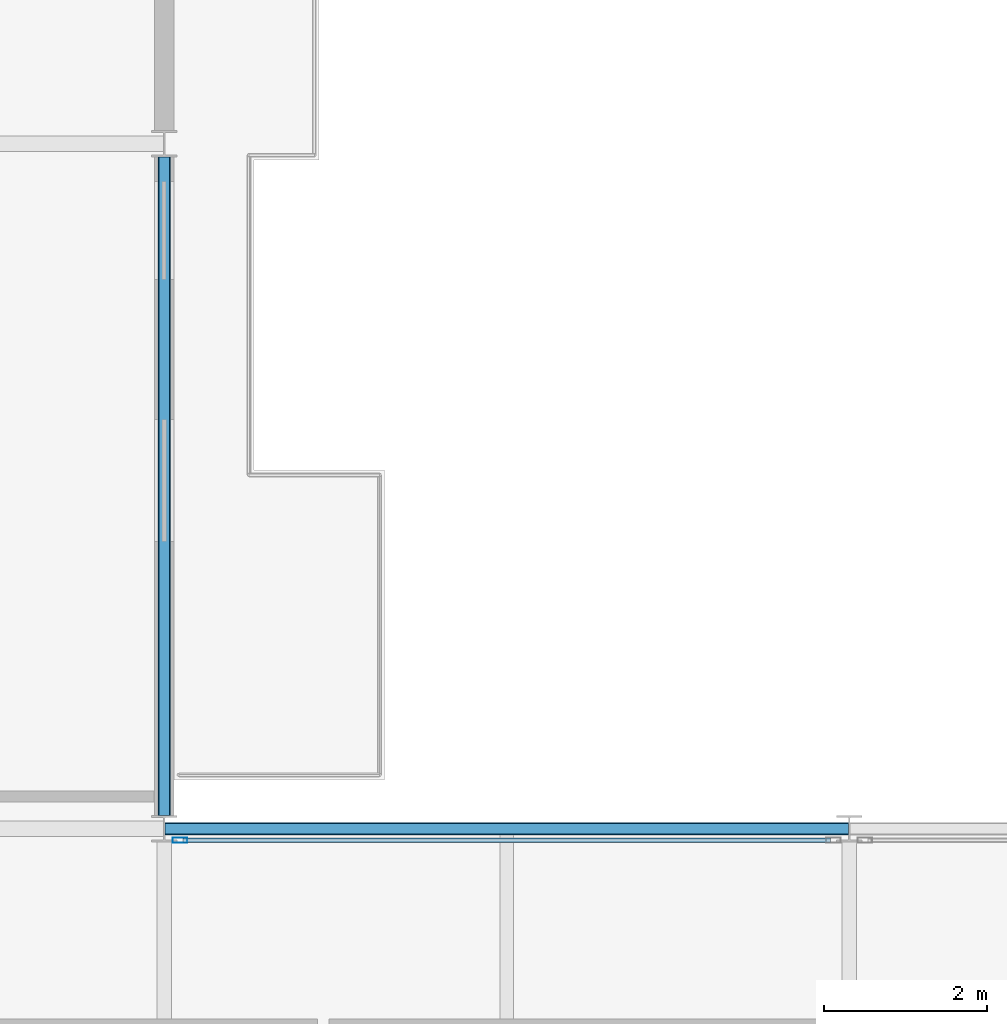
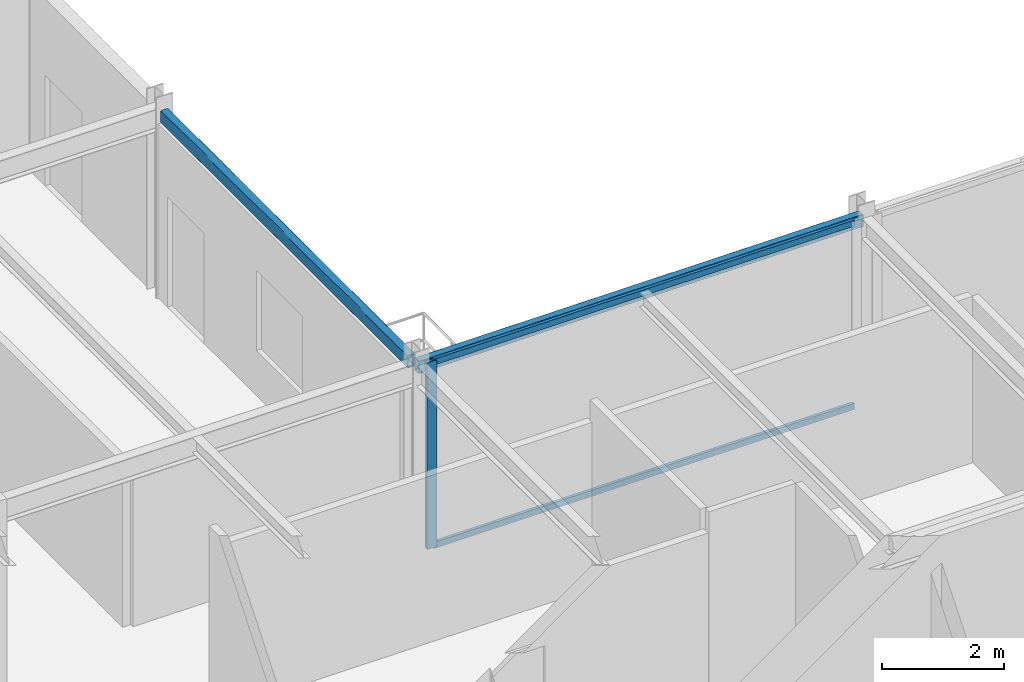
# One storey, part 13 of 26: 3 members, 2 beams, 1 element without a shape of its own.
"""IFC4 building model written with IfcOpenShell, lengths in metres."""

import ifcopenshell
import ifcopenshell.guid

model = None  # the IFC model being written
_history = None  # IfcOwnerHistory: only IFC2X3 demands one
_inside = {}  # id of a spatial element -> (the spatial element, [elements in it])
_under = {}  # id of a project, library or spatial element -> (it, [spatial elements below it])
_declared = {}  # id of a project -> (the project, [libraries it declares])
_typed = {}  # id of a type object -> (the type object, [elements of that type])
_made_of = {}  # id of a material, layer set ... -> (it, [elements and type objects made of it])


def new_model(schema):
    """Start an empty IFC model of exactly this schema.

    Asked for "IFC4X3", IfcOpenShell would pick the latest addendum, in which some entities
    have other attributes; the version numbers below select the first issue.
    IFC2X3 requires an IfcOwnerHistory on every rooted entity: one is made here for all.
    """
    global model, _history
    if schema == "IFC4X3":
        model = ifcopenshell.file(schema_version=(4, 3, 0, 0))
    else:
        model = ifcopenshell.file(schema=schema)
    _inside.clear()
    _under.clear()
    _declared.clear()
    _typed.clear()
    _made_of.clear()
    _history = None
    if model.schema == "IFC2X3":
        org = make("IfcOrganization", Name="unknown")
        user = make(
            "IfcPersonAndOrganization",
            ThePerson=make("IfcPerson", FamilyName="unknown"),
            TheOrganization=org,
        )
        app = make(
            "IfcApplication",
            ApplicationDeveloper=org,
            Version="unknown",
            ApplicationFullName="unknown",
            ApplicationIdentifier="unknown",
        )
        _history = make(
            "IfcOwnerHistory",
            OwningUser=user,
            OwningApplication=app,
            ChangeAction="ADDED",
            CreationDate=0,
        )
    return model


def make(cls, **values):
    """One entity of the class cls with the attributes given. An attribute that is None is left unset."""
    return model.create_entity(
        cls, **{name: value for name, value in values.items() if value is not None}
    )


def rooted(cls, **values):
    """An entity with a GlobalId (a new one), such as an element, a storey or a relation."""
    return make(cls, GlobalId=ifcopenshell.guid.new(), OwnerHistory=_history, **values)


def si_unit(unit_type, name, prefix=None):
    """IfcSIUnit, for example si_unit("LENGTHUNIT", "METRE", prefix="MILLI")."""
    return make("IfcSIUnit", UnitType=unit_type, Prefix=prefix, Name=name)


def assignment(units):
    """IfcUnitAssignment: the units of a project."""
    return None if units is None else make("IfcUnitAssignment", Units=units)


def point(xyz):
    """IfcCartesianPoint."""
    return None if xyz is None else make("IfcCartesianPoint", Coordinates=xyz)


def direction(xyz):
    """IfcDirection."""
    return None if xyz is None else make("IfcDirection", DirectionRatios=xyz)


def frame(location, z_axis=None, x_axis=None):
    """IfcAxis2Placement3D, a coordinate frame: its origin and axes. An axis left out is left unset."""
    return make(
        "IfcAxis2Placement3D",
        Location=point(location),
        Axis=direction(z_axis),
        RefDirection=direction(x_axis),
    )


def frame_2d(location, x_axis=None):
    """IfcAxis2Placement2D, a coordinate frame in the plane: its origin and x axis."""
    return make(
        "IfcAxis2Placement2D", Location=point(location), RefDirection=direction(x_axis)
    )


def origin():
    """The frame at (0, 0, 0) with its axes left unset."""
    return frame((0.0, 0.0, 0.0))


def origin_2d():
    """The frame at (0, 0) in the plane with its x axis left unset."""
    return frame_2d((0.0, 0.0))


def place(relative_to, where):
    """IfcLocalPlacement: puts the frame where relative to a parent placement (None: the world)."""
    return make(
        "IfcLocalPlacement", PlacementRelTo=relative_to, RelativePlacement=where
    )


def context(
    kind, dimensions, precision=None, world=None, true_north=None, identifier=None
):
    """IfcGeometricRepresentationContext, for example the 3D "Model" context."""
    return make(
        "IfcGeometricRepresentationContext",
        ContextIdentifier=identifier,
        ContextType=kind,
        CoordinateSpaceDimension=dimensions,
        Precision=precision,
        WorldCoordinateSystem=world,
        TrueNorth=true_north,
    )


def subcontext(parent, identifier, kind, view, scale=None):
    """IfcGeometricRepresentationSubContext, for example "Body" below "Model"."""
    return make(
        "IfcGeometricRepresentationSubContext",
        ContextIdentifier=identifier,
        ContextType=kind,
        ParentContext=parent,
        TargetScale=scale,
        TargetView=view,
    )


def project(units=None, contexts=None):
    """IfcProject with its units and contexts."""
    return rooted(
        "IfcProject",
        Name="project",
        RepresentationContexts=contexts,
        UnitsInContext=assignment(units),
    )


def spatial(cls, under=None, at=None, **own):
    """A site, building, storey or space (cls), placed at a placement, below another one or the project."""
    s = rooted(cls, ObjectPlacement=at, **own)
    if under is not None:
        _under.setdefault(under.id(), (under, []))[1].append(s)
    return s


def profile(cls, at=None, kind="AREA", **sizes):
    """A parametric profile (cls). Its sizes go by their IFC names, for example OverallWidth=200.0."""
    return make(cls, ProfileType=kind, Position=at, **sizes)


def hollow_rectangle(**sizes):
    """IfcRectangleHollowProfileDef."""
    return profile("IfcRectangleHollowProfileDef", **sizes)


def extrude(swept, where, along, depth):
    """IfcExtrudedAreaSolid: the profile swept, set in the frame where, extruded along a direction by depth."""
    return make(
        "IfcExtrudedAreaSolid",
        SweptArea=swept,
        Position=where,
        ExtrudedDirection=direction(along),
        Depth=depth,
    )


def shape(context_of_items, identifier, shape_type, items):
    """IfcShapeRepresentation: the items that make up one representation, for example the "Body"."""
    return make(
        "IfcShapeRepresentation",
        ContextOfItems=context_of_items,
        RepresentationIdentifier=identifier,
        RepresentationType=shape_type,
        Items=items,
    )


def material(Name=None, Category=None):
    """IfcMaterial."""
    return make("IfcMaterial", Name=Name, Category=Category)


def layer(
    of_material, thickness, ventilated=None, Name=None, Category=None, Priority=None
):
    """IfcMaterialLayer: one layer of a wall or slab, of a material (None: an air gap)."""
    return make(
        "IfcMaterialLayer",
        Material=of_material,
        LayerThickness=thickness,
        IsVentilated=ventilated,
        Name=Name,
        Category=Category,
        Priority=Priority,
    )


def layer_set(layers, Name=None):
    """IfcMaterialLayerSet."""
    return make("IfcMaterialLayerSet", MaterialLayers=layers, LayerSetName=Name)


def material_profile(
    of_material, cross_section, Name=None, Category=None, Priority=None
):
    """IfcMaterialProfile: a cross section and its material."""
    return make(
        "IfcMaterialProfile",
        Name=Name,
        Material=of_material,
        Profile=cross_section,
        Priority=Priority,
        Category=Category,
    )


def profile_set(profiles, Name=None, composite=None):
    """IfcMaterialProfileSet."""
    return make(
        "IfcMaterialProfileSet",
        Name=Name,
        MaterialProfiles=profiles,
        CompositeProfile=composite,
    )


def made_of(thing, what):
    """Note that an element or type object is made of a material, layer set ...; save() writes the relation."""
    if what is not None:
        _made_of.setdefault(what.id(), (what, []))[1].append(thing)
    return thing


def type_object(cls, material=None, **own):
    """A type object (cls), such as IfcWallType, which elements share."""
    return made_of(rooted(cls, **own), material)


def element(
    cls,
    number,
    at=None,
    inside=None,
    cuts=None,
    type_object=None,
    material=None,
    context=None,
    identifier="Body",
    shape_type=None,
    held_by="IfcProductDefinitionShape",
    body=None,
    shapes=None,
    **own,
):
    """One element of the class cls, such as IfcWall. Its Tag is "e" and its number.

    at: its placement. inside: the storey or other place that contains it. cuts: it is an
    opening in that element (IfcRelVoidsElement). A single representation is given by context,
    identifier, shape_type and body (its items); several are given by shapes. held_by: the class
    of the entity that holds the representations. save() writes the other relations.
    """
    e = rooted(cls, Tag="e%d" % number, ObjectPlacement=at, **own)
    if body is not None:
        shapes = [shape(context, identifier, shape_type, body)]
    if shapes is not None:
        e.Representation = make(held_by, Representations=shapes)
    if inside is not None:
        _inside.setdefault(inside.id(), (inside, []))[1].append(e)
    if cuts is not None:
        rooted(
            "IfcRelVoidsElement", RelatingBuildingElement=cuts, RelatedOpeningElement=e
        )
    if type_object is not None:
        _typed.setdefault(type_object.id(), (type_object, []))[1].append(e)
    return made_of(e, material)


def aggregate(whole, parts):
    """IfcRelAggregates: a whole, such as a stair, and the parts it consists of."""
    return rooted("IfcRelAggregates", RelatingObject=whole, RelatedObjects=parts)


def save(model, path):
    """Write the relations noted so far, then the file.

    IfcRelAggregates (storeys below a building ...), IfcRelContainedInSpatialStructure (elements
    in a storey), IfcRelDefinesByType, IfcRelAssociatesMaterial and IfcRelDeclares: one each for
    every whole, place, type object, material and project.
    """
    for whole, parts in _under.values():
        aggregate(whole, parts)
    for where, things in _inside.values():
        rooted(
            "IfcRelContainedInSpatialStructure",
            RelatedElements=things,
            RelatingStructure=where,
        )
    for kind, things in _typed.values():
        rooted("IfcRelDefinesByType", RelatedObjects=things, RelatingType=kind)
    for what, things in _made_of.values():
        rooted("IfcRelAssociatesMaterial", RelatedObjects=things, RelatingMaterial=what)
    for by, libraries in _declared.values():
        rooted("IfcRelDeclares", RelatingContext=by, RelatedDefinitions=libraries)
    model.write(path)


model = new_model("IFC4")

# Units and contexts
model_context = context("Model", 3, precision=1e-05, world=origin(), true_north=direction((0.0, 1.0)))
body_context = subcontext(model_context, "Body", "Model", "MODEL_VIEW")
ifc_project = project(units=[si_unit("LENGTHUNIT", "METRE"), si_unit("AREAUNIT", "SQUARE_METRE"), si_unit("VOLUMEUNIT", "CUBIC_METRE"), si_unit("PLANEANGLEUNIT", "RADIAN"), si_unit("MASSUNIT", "GRAM", prefix="KILO")], contexts=[model_context])

# Site, building, storey
site_placement = place(None, origin())
site = spatial("IfcSite", under=ifc_project, at=site_placement, CompositionType="ELEMENT")
building_placement = place(site_placement, origin())
building = spatial("IfcBuilding", under=site, at=building_placement, Name="Nerrivon Quay Data Exchange", CompositionType="ELEMENT")
storey_placement = place(building_placement, frame((0.0, 0.0, 270.199951171875)))
storey = spatial("IfcBuildingStorey", under=building, at=storey_placement, Name="L64", CompositionType="ELEMENT", Elevation=270.199951171875)

# Beams
ifc_material_1 = material(Name="Steel Grade C350L0 (350 MPa)", Category="steel")
ifc_material_profile_1 = material_profile(ifc_material_1, hollow_rectangle(XDim=0.14990234375, YDim=0.25, WallThickness=0.009033203125, InnerFilletRadius=0.013427734375, OuterFilletRadius=0.0224609375, at=origin_2d()), Name="250x150x9.0RHS")
ifc_profile_set_1 = profile_set([ifc_material_profile_1], Name="Steel Grade C350L0 (350 MPa)")
beam_type = type_object("IfcBeamType", Name="BM-SP4-250x150RHS", PredefinedType="SPANDREL", material=ifc_profile_set_1)
beam_1_placement = place(storey_placement, frame((25.2080078125, 25.199951171875, 3.60009765625), z_axis=(1.0, 0.0, 0.0), x_axis=(0.0, 1.0, 0.0)))
element("IfcBeam", 1, at=beam_1_placement, inside=storey, type_object=beam_type, Name="L64 EW Girder Y=25.2 (25.2..33.6)", PredefinedType="SPANDREL", context=body_context, shape_type="SweptSolid", body=[
    extrude(hollow_rectangle(XDim=0.14990234375, YDim=0.25, WallThickness=0.009033203125, InnerFilletRadius=0.013427734375, OuterFilletRadius=0.0224609375, at=origin_2d()), origin(), (0.0, 0.0, 1.0), 8.38427734375),
])
beam_2_placement = place(storey_placement, frame((25.199951171875, 25.363525390625, 3.60009765625), z_axis=(0.0, 1.0, 0.0), x_axis=(-1.0, 0.0, 0.0)))
element("IfcBeam", 2, at=beam_2_placement, inside=storey, type_object=beam_type, Name="L64 NS Girder X=25.2 (25.2..33.6)", PredefinedType="SPANDREL", context=body_context, shape_type="SweptSolid", body=[
    extrude(hollow_rectangle(XDim=0.14990234375, YDim=0.25, WallThickness=0.009033203125, InnerFilletRadius=0.013427734375, OuterFilletRadius=0.0224609375, at=origin_2d()), origin(), (0.0, 0.0, 1.0), 8.072998046875),
])

# Curtain wall, members
ifc_material_2 = material(Name="Anodised aluminium 6063-T6", Category="aluminium")
ifc_layer = layer(ifc_material_2, 0.195068359375)
ifc_layer_set = layer_set([ifc_layer], Name="Anodised aluminium 6063-T6")
curtain_wall_type = type_object("IfcCurtainWallType", Name="CW-SYS-06", PredefinedType="NOTDEFINED", material=ifc_layer_set)
curtain_wall_placement = place(storey_placement, origin())
curtain_wall = element("IfcCurtainWall", 3, at=curtain_wall_placement, inside=storey, type_object=curtain_wall_type, Name="L64 Unitised Curtain Wall 24", PredefinedType="NOTDEFINED")
ifc_material_profile_2 = material_profile(ifc_material_2, hollow_rectangle(XDim=0.06494140625, YDim=0.179931640625, WallThickness=0.00341796875, at=origin_2d()), Name="ALU-MULL-180x65")
ifc_profile_set_2 = profile_set([ifc_material_profile_2], Name="Anodised aluminium 6063-T6")
member_type_1 = type_object("IfcMemberType", Name="CWM-180x65", PredefinedType="MULLION", material=ifc_profile_set_2)
member_1_placement = place(storey_placement, frame((25.39306640625, 25.06005859375, 0.0), z_axis=(0.0, 0.0, 1.0), x_axis=(0.0, 1.0, 0.0)))
member_1 = element("IfcMember", 4, at=member_1_placement, type_object=member_type_1, Name="CW06 mullion 1", PredefinedType="MULLION", context=body_context, shape_type="SweptSolid", body=[
    extrude(hollow_rectangle(XDim=0.06494140625, YDim=0.179931640625, WallThickness=0.00341796875, at=origin_2d()), origin(), (0.0, 0.0, 1.0), 3.72509765625),
])
ifc_material_profile_3 = material_profile(ifc_material_2, hollow_rectangle(XDim=0.06005859375, YDim=0.1201171875, WallThickness=0.003173828125, at=origin_2d()), Name="ALU-TRAN-120x60")
ifc_profile_set_3 = profile_set([ifc_material_profile_3], Name="Anodised aluminium 6063-T6")
member_type_2 = type_object("IfcMemberType", Name="CWT-120x60", PredefinedType="USERDEFINED", material=ifc_profile_set_3)
member_2_placement = place(storey_placement, frame((25.430419921875, 25.06005859375, 0.032470703125), z_axis=(1.0, 0.0, 0.0), x_axis=(0.0, 1.0, 0.0)))
member_2 = element("IfcMember", 5, at=member_2_placement, type_object=member_type_2, Name="CW06 transom 1.1", ObjectType="TRANSOM", PredefinedType="USERDEFINED", context=body_context, shape_type="SweptSolid", body=[
    extrude(hollow_rectangle(XDim=0.06005859375, YDim=0.1201171875, WallThickness=0.003173828125, at=origin_2d()), origin(), (0.0, 0.0, 1.0), 7.93896484375),
])
member_3_placement = place(storey_placement, frame((25.430419921875, 25.06005859375, 3.692626953125), z_axis=(1.0, 0.0, 0.0), x_axis=(0.0, 1.0, 0.0)))
member_3 = element("IfcMember", 6, at=member_3_placement, type_object=member_type_2, Name="CW06 transom 1.2", ObjectType="TRANSOM", PredefinedType="USERDEFINED", context=body_context, shape_type="SweptSolid", body=[
    extrude(hollow_rectangle(XDim=0.06005859375, YDim=0.1201171875, WallThickness=0.003173828125, at=origin_2d()), origin(), (0.0, 0.0, 1.0), 7.93896484375),
])
aggregate(curtain_wall, [member_1, member_2, member_3])

save(model, "model.ifc")
